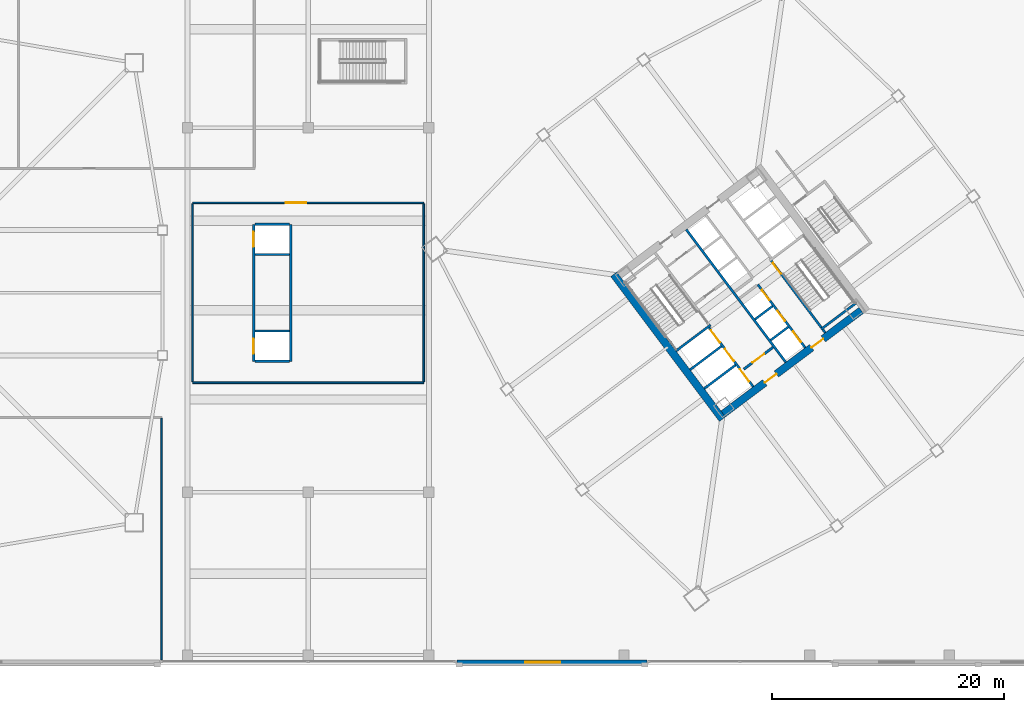
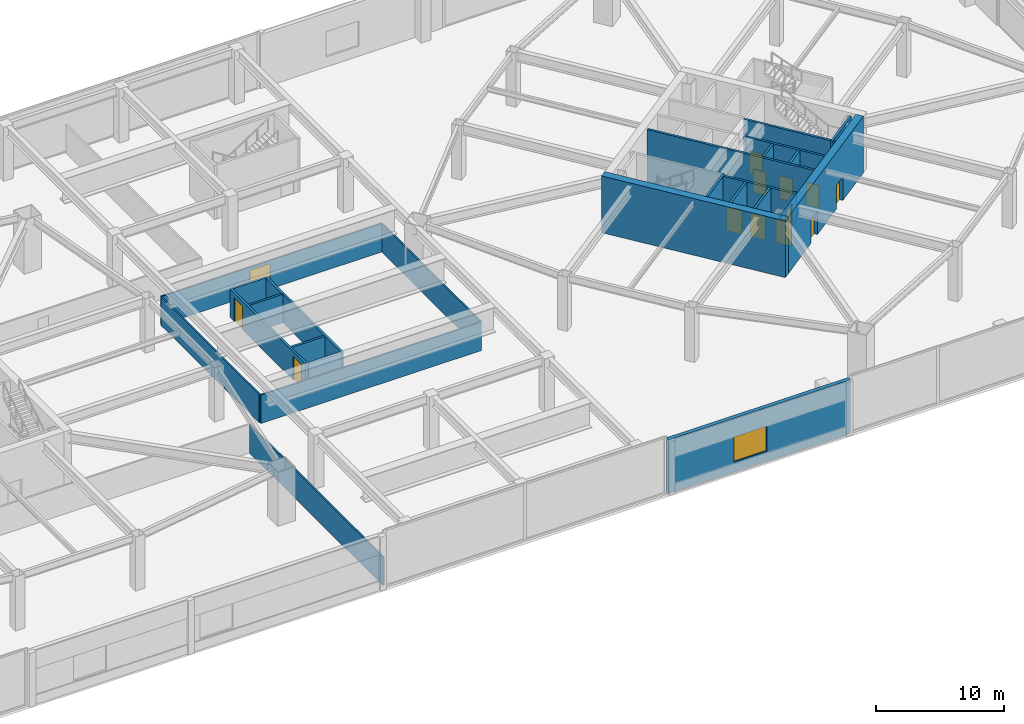
# One storey, part 36 of 48: 25 walls, 13 doors, 1 window, 14 openings.
"""IFC4 building model written with IfcOpenShell, lengths in metres."""

from ifc_helpers import new_model, si_unit, direction, frame, frame_2d, origin, place, context, subcontext, project, spatial, rectangle, extrude, material, layer, layer_set, type_object, element, fill, save


model = new_model("IFC4")

# Units and contexts
model_context = context("Model", 3, precision=1e-05, world=origin(), true_north=direction((0.0, 1.0)))
body_context = subcontext(model_context, "Body", "Model", "MODEL_VIEW")
ifc_project = project(units=[si_unit("LENGTHUNIT", "METRE"), si_unit("AREAUNIT", "SQUARE_METRE"), si_unit("VOLUMEUNIT", "CUBIC_METRE"), si_unit("PLANEANGLEUNIT", "RADIAN"), si_unit("MASSUNIT", "GRAM", prefix="KILO")], contexts=[model_context])

# Site, building, storey
site_placement = place(None, origin())
site = spatial("IfcSite", under=ifc_project, at=site_placement, CompositionType="ELEMENT")
building_placement = place(site_placement, origin())
building = spatial("IfcBuilding", under=site, at=building_placement, Name="Tashvorn Skyway Center", CompositionType="ELEMENT")
storey_placement = place(building_placement, frame((0.0, 0.0, 10.199951171875)))
storey = spatial("IfcBuildingStorey", under=building, at=storey_placement, Name="L02", CompositionType="ELEMENT", Elevation=10.199951171875)

# Wall
ifc_material_1 = material(Name="Concrete C60/75", Category="concrete")
ifc_layer_1 = layer(ifc_material_1, 0.64990234375)
ifc_layer_set_1 = layer_set([ifc_layer_1], Name="Concrete C60/75")
wall_type_1 = type_object("IfcWallType", Name="WALL-CORE-650", PredefinedType="SHEAR", material=ifc_layer_set_1)
wall_1_placement = place(storey_placement, frame((112.47607421875, 21.10693359375, 0.0), z_axis=(0.0, 0.0, 1.0), x_axis=(-0.600005007985, 0.799996243986, 0.0)))
element("IfcWall", 1, at=wall_1_placement, inside=storey, type_object=wall_type_1, Name="Tower 2 L02 West Core Shear Wall", PredefinedType="SHEAR", context=body_context, shape_type="SweptSolid", body=[
    extrude(rectangle(XDim=15.60009765625, YDim=0.64990234375, at=frame_2d((7.800048828125, 0.0))), origin(), (0.0, 0.0, 1.0), 5.400146484375),
])

# Wall, openings, doors
wall_2_placement = place(storey_placement, frame((124.428955078125, 30.47802734375, 0.0), z_axis=(0.0, 0.0, 1.0), x_axis=(-0.799998028465, -0.600002628705, 0.0)))
wall_2 = element("IfcWall", 2, at=wall_2_placement, inside=storey, type_object=wall_type_1, Name="Tower 2 L02 South Core Shear Wall", PredefinedType="SHEAR", context=body_context, shape_type="SweptSolid", body=[
    extrude(rectangle(XDim=14.85986328125, YDim=0.64990234375, at=frame_2d((7.429931640625, 0.0))), origin(), (0.0, 0.0, 1.0), 5.400146484375),
])
opening_1_placement = place(wall_2_placement, frame((9.1298828125, 0.0, 0.0)))
opening_1 = element("IfcOpeningElement", 3, at=opening_1_placement, cuts=wall_2, Name="Opening D-FFL-1250", PredefinedType="OPENING", context=body_context, shape_type="SweptSolid", body=[
    extrude(rectangle(XDim=1.25, YDim=2.25, at=frame_2d((0.625, 1.125))), frame((0.0, 0.3349609375, 0.0), z_axis=(0.0, -1.0, 0.0), x_axis=(1.0, 0.0, 0.0)), (0.0, 0.0, 1.0), 0.669921875),
])
opening_2_placement = place(wall_2_placement, frame((4.080078125, 0.0, 0.0)))
opening_2 = element("IfcOpeningElement", 4, at=opening_2_placement, cuts=wall_2, Name="Opening D-FFL-1250", PredefinedType="OPENING", context=body_context, shape_type="SweptSolid", body=[
    extrude(rectangle(XDim=1.25, YDim=2.25, at=frame_2d((0.625, 1.125))), frame((0.0, 0.3349609375, 0.0), z_axis=(0.0, -1.0, 0.0), x_axis=(1.0, 0.0, 0.0)), (0.0, 0.0, 1.0), 0.669921875),
])
ifc_material_2 = material(Name="Hollow galvanized steel fire door assembly", Category="steel")
door_type_1 = type_object("IfcDoorType", Name="DOOR-FFL-1250", OperationType="NOTDEFINED", PredefinedType="DOOR", material=ifc_material_2)
door_1_placement = place(opening_1_placement, origin())
door_1 = element("IfcDoor", 5, at=door_1_placement, inside=storey, type_object=door_type_1, Name="Tower 2 L02 Core South Firefighting Exit Door", OperationType="SINGLE_SWING_LEFT", OverallHeight=2.25, OverallWidth=1.25, PredefinedType="DOOR", context=body_context, shape_type="SweptSolid", body=[
    extrude(rectangle(XDim=1.25, YDim=2.25, at=frame_2d((0.625, 1.125))), frame((0.0, 0.02490234375, 0.0), z_axis=(0.0, -1.0, 0.0), x_axis=(1.0, 0.0, 0.0)), (0.0, 0.0, 1.0), 0.050048828125),
])
fill(opening_1, door_1)
door_2_placement = place(opening_2_placement, origin())
door_2 = element("IfcDoor", 6, at=door_2_placement, inside=storey, type_object=door_type_1, Name="Tower 2 L02 Core South Lift Lobby Door", OperationType="SINGLE_SWING_RIGHT", OverallHeight=2.25, OverallWidth=1.25, PredefinedType="DOOR", context=body_context, shape_type="SweptSolid", body=[
    extrude(rectangle(XDim=1.25, YDim=2.25, at=frame_2d((0.625, 1.125))), frame((0.0, 0.02490234375, 0.0), z_axis=(0.0, -1.0, 0.0), x_axis=(1.0, 0.0, 0.0)), (0.0, 0.0, 1.0), 0.050048828125),
])
fill(opening_2, door_2)

# Wall, opening, window
ifc_material_3 = material(Name="Precast concrete C40/50", Category="concrete")
ifc_layer_2 = layer(ifc_material_3, 0.35009765625)
ifc_layer_set_2 = layer_set([ifc_layer_2], Name="Precast concrete C40/50")
wall_type_2 = type_object("IfcWallType", Name="WALL-EXT-350", PredefinedType="SOLIDWALL", material=ifc_layer_set_2)
wall_3_placement = place(storey_placement, frame((106.0, 0.175048828125, 0.0), z_axis=(0.0, 0.0, 1.0), x_axis=(-1.0, 0.0, 0.0)))
wall_3 = element("IfcWall", 7, at=wall_3_placement, inside=storey, type_object=wall_type_2, Name="L02 South Postmodern Pier Wall M2", PredefinedType="SOLIDWALL", context=body_context, shape_type="SweptSolid", body=[
    extrude(rectangle(XDim=16.39990234375, YDim=0.35009765625, at=frame_2d((8.199951171875, 0.0))), origin(), (0.0, 0.0, 1.0), 5.14013671875),
])
opening_3_placement = place(wall_3_placement, frame((7.5, 0.0, 0.949951171875)))
opening_3 = element("IfcOpeningElement", 8, at=opening_3_placement, cuts=wall_3, Name="Opening WIN-3000", PredefinedType="OPENING", context=body_context, shape_type="SweptSolid", body=[
    extrude(rectangle(XDim=3.0, YDim=2.39990234375, at=frame_2d((1.5, 1.199951171875))), frame((0.0, 0.18505859375, 0.0), z_axis=(0.0, -1.0, 0.0), x_axis=(1.0, 0.0, 0.0)), (0.0, 0.0, 1.0), 0.3701171875),
])
ifc_material_4 = material(Name="Low-E solar-control double insulating safety glass", Category="glass")
window_type = type_object("IfcWindowType", Name="WIN-POD-3000", PartitioningType="SINGLE_PANEL", PredefinedType="WINDOW", material=ifc_material_4)
window_placement = place(opening_3_placement, origin())
window = element("IfcWindow", 9, at=window_placement, inside=storey, type_object=window_type, Name="L02 South Station Pier Window 05", OverallHeight=2.39990234375, OverallWidth=3.0, PartitioningType="SINGLE_PANEL", PredefinedType="WINDOW", context=body_context, shape_type="SweptSolid", body=[
    extrude(rectangle(XDim=3.0, YDim=2.39990234375, at=frame_2d((1.5, 1.199951171875))), frame((0.0, 0.030029296875, 0.0), z_axis=(0.0, -1.0, 0.0), x_axis=(1.0, 0.0, 0.0)), (0.0, 0.0, 1.0), 0.06005859375),
])
fill(opening_3, window)

# Wall, opening, door
ifc_material_5 = material(Name="Concrete C40/50", Category="concrete")
ifc_layer_3 = layer(ifc_material_5, 0.219970703125)
ifc_layer_set_3 = layer_set([ifc_layer_3], Name="Concrete C40/50")
wall_type_3 = type_object("IfcWallType", Name="WALL-FFL-220", PredefinedType="SOLIDWALL", material=ifc_layer_set_3)
wall_4_placement = place(storey_placement, frame((114.31591796875, 25.412109375, 0.0), z_axis=(0.0, 0.0, 1.0), x_axis=(0.800018601094, 0.59997519774, 0.0)))
wall_4 = element("IfcWall", 10, at=wall_4_placement, inside=storey, type_object=wall_type_3, Name="Tower 2 L02 Firefighting Lobby South Wall", PredefinedType="SOLIDWALL", context=body_context, shape_type="SweptSolid", body=[
    extrude(rectangle(XDim=3.14990234375, YDim=0.219970703125, at=frame_2d((1.574951171875, 0.0))), origin(), (0.0, 0.0, 1.0), 2.7099609375),
])
opening_4_placement = place(wall_4_placement, frame((0.949951171875, 0.0, 0.0)))
opening_4 = element("IfcOpeningElement", 11, at=opening_4_placement, cuts=wall_4, Name="Opening D-FFL-1250", PredefinedType="OPENING", context=body_context, shape_type="SweptSolid", body=[
    extrude(rectangle(XDim=1.25, YDim=2.25, at=frame_2d((0.625, 1.125))), frame((0.0, 0.119873046875, 0.0), z_axis=(0.0, -1.0, 0.0), x_axis=(1.0, 0.0, 0.0)), (0.0, 0.0, 1.0), 0.239990234375),
])
door_3_placement = place(opening_4_placement, origin())
door_3 = element("IfcDoor", 12, at=door_3_placement, inside=storey, type_object=door_type_1, Name="Tower 2 L02 Firefighting Lobby Egress Door", OperationType="SINGLE_SWING_LEFT", OverallHeight=2.25, OverallWidth=1.25, PredefinedType="DOOR", context=body_context, shape_type="SweptSolid", body=[
    extrude(rectangle(XDim=1.25, YDim=2.25, at=frame_2d((0.625, 1.125))), frame((0.0, 0.02490234375, 0.0), z_axis=(0.0, -1.0, 0.0), x_axis=(1.0, 0.0, 0.0)), (0.0, 0.0, 1.0), 0.050048828125),
])
fill(opening_4, door_3)

# Wall
ifc_material_6 = material(Name="Gypsum board on cold-formed steel stud framing", Category="steel")
ifc_layer_4 = layer(ifc_material_6, 0.135009765625)
ifc_layer_set_4 = layer_set([ifc_layer_4], Name="Gypsum board on cold-formed steel stud framing")
wall_type_4 = type_object("IfcWallType", Name="WALL-PART-135", PredefinedType="PARTITIONING", material=ifc_layer_set_4)
wall_5_placement = place(storey_placement, frame((64.14990234375, 0.35009765625, 0.0), z_axis=(0.0, 0.0, 1.0), x_axis=(0.0, 1.0, 0.0)))
element("IfcWall", 13, at=wall_5_placement, inside=storey, type_object=wall_type_4, Name="L02 South Suite East Wall", PredefinedType="PARTITIONING", context=body_context, shape_type="SweptSolid", body=[
    extrude(rectangle(XDim=20.849853515625, YDim=0.135009765625, at=frame_2d((10.4248046875, 0.0))), origin(), (0.0, 0.0, 1.0), 2.7099609375),
])

# Wall, opening, door
ifc_layer_5 = layer(ifc_material_6, 0.135009765625)
ifc_layer_set_5 = layer_set([ifc_layer_5], Name="Gypsum board on cold-formed steel stud framing")
wall_type_5 = type_object("IfcWallType", Name="WALL-RATED-135", PredefinedType="PARTITIONING", material=ifc_layer_set_5)
wall_6_placement = place(storey_placement, frame((66.85009765625, 39.75, 0.0), z_axis=(0.0, 0.0, 1.0), x_axis=(1.0, 0.0, 0.0)))
wall_6 = element("IfcWall", 14, at=wall_6_placement, inside=storey, type_object=wall_type_5, Name="L02 Staff Restaurant North Wall", PredefinedType="PARTITIONING", context=body_context, shape_type="SweptSolid", body=[
    extrude(rectangle(XDim=19.89990234375, YDim=0.135009765625, at=frame_2d((9.949951171875, 0.0))), origin(), (0.0, 0.0, 1.0), 2.7099609375),
])
opening_5_placement = place(wall_6_placement, frame((8.0, 0.0, 0.0)))
opening_5 = element("IfcOpeningElement", 15, at=opening_5_placement, cuts=wall_6, Name="Opening D-DBL-1800", PredefinedType="OPENING", context=body_context, shape_type="SweptSolid", body=[
    extrude(rectangle(XDim=1.800048828125, YDim=2.39990234375, at=frame_2d((0.89990234375, 1.199951171875))), frame((0.0, 0.077392578125, 0.0), z_axis=(0.0, -1.0, 0.0), x_axis=(1.0, 0.0, 0.0)), (0.0, 0.0, 1.0), 0.155029296875),
])
door_type_2 = type_object("IfcDoorType", Name="DOOR-DBL-1800", OperationType="DOUBLE_DOOR_SINGLE_SWING", PredefinedType="DOOR", material=ifc_material_2)
door_4_placement = place(opening_5_placement, origin())
door_4 = element("IfcDoor", 16, at=door_4_placement, inside=storey, type_object=door_type_2, Name="L02 Staff Restaurant Entrance", OperationType="DOUBLE_DOOR_SINGLE_SWING", OverallHeight=2.39990234375, OverallWidth=1.800048828125, PredefinedType="DOOR", context=body_context, shape_type="SweptSolid", body=[
    extrude(rectangle(XDim=1.800048828125, YDim=2.39990234375, at=frame_2d((0.89990234375, 1.199951171875))), frame((0.0, 0.02490234375, 0.0), z_axis=(0.0, -1.0, 0.0), x_axis=(1.0, 0.0, 0.0)), (0.0, 0.0, 1.0), 0.050048828125),
])
fill(opening_5, door_4)

# Walls
wall_7_placement = place(storey_placement, frame((66.85009765625, 24.25, 0.0), z_axis=(0.0, 0.0, 1.0), x_axis=(1.0, 0.0, 0.0)))
element("IfcWall", 17, at=wall_7_placement, inside=storey, type_object=wall_type_5, Name="L02 Staff Restaurant South Wall", PredefinedType="PARTITIONING", context=body_context, shape_type="SweptSolid", body=[
    extrude(rectangle(XDim=19.89990234375, YDim=0.135009765625, at=frame_2d((9.949951171875, 0.0))), origin(), (0.0, 0.0, 1.0), 2.7099609375),
])
for number, where, z_axis, x_axis, name in (
    (18, (66.85009765625, 24.35009765625, 0.0), (0.0, 0.0, 1.0), (0.0, 1.0, 0.0), "L02 Staff Restaurant West Wall"),
    (19, (86.75, 24.35009765625, 0.0), (0.0, 0.0, 1.0), (0.0, 1.0, 0.0), "L02 Staff Restaurant East Wall"),
):
    element("IfcWall", number, at=place(storey_placement, frame(where, z_axis=z_axis, x_axis=x_axis)), inside=storey, type_object=wall_type_5, Name=name, PredefinedType="PARTITIONING", context=body_context, shape_type="SweptSolid", body=[
        extrude(rectangle(XDim=15.2998046875, YDim=0.135009765625, at=frame_2d((7.64990234375, 0.0))), origin(), (0.0, 0.0, 1.0), 2.7099609375),
    ])
ifc_layer_6 = layer(ifc_material_5, 0.199951171875)
ifc_layer_set_6 = layer_set([ifc_layer_6], Name="Concrete C40/50")
wall_type_6 = type_object("IfcWallType", Name="WALL-SHAFT-200", PredefinedType="SOLIDWALL", material=ifc_layer_set_6)
for number, where, z_axis, x_axis, name in (
    (20, (110.906005859375, 23.741943359375, 0.0), (0.0, 0.0, 1.0), (0.8, 0.6, 0.0), "Tower 2 L02 FSAE Shaft Divider"),
    (21, (109.68798828125, 25.365966796875, 0.0), (0.0, 0.0, 1.0), (0.8, 0.6, 0.0), "Tower 2 L02 FSAE Shaft Divider"),
):
    element("IfcWall", number, at=place(storey_placement, frame(where, z_axis=z_axis, x_axis=x_axis)), inside=storey, type_object=wall_type_6, Name=name, PredefinedType="SOLIDWALL", context=body_context, shape_type="SweptSolid", body=[
        extrude(rectangle(XDim=3.380126953125, YDim=0.199951171875, at=frame_2d((1.68994140625, 0.0))), origin(), (0.0, 0.0, 1.0), 5.14013671875),
    ])

# Wall, openings, doors
wall_8_placement = place(storey_placement, frame((119.610107421875, 27.27001953125, 0.0), z_axis=(0.0, 0.0, 1.0), x_axis=(-0.600011488909, 0.79999138319, 0.0)))
wall_8 = element("IfcWall", 22, at=wall_8_placement, inside=storey, type_object=wall_type_6, Name="Tower 2 L02 Low-Rise Core Wall", PredefinedType="SOLIDWALL", context=body_context, shape_type="SweptSolid", body=[
    extrude(rectangle(XDim=6.800048828125, YDim=0.199951171875, at=frame_2d((3.39990234375, 0.0))), origin(), (0.0, 0.0, 1.0), 5.14013671875),
])
opening_6_placement = place(wall_8_placement, frame((0.625, 0.0, 0.0)))
opening_6 = element("IfcOpeningElement", 23, at=opening_6_placement, cuts=wall_8, Name="Opening LD-LR-T2-1-L02", PredefinedType="OPENING", context=body_context, shape_type="SweptSolid", body=[
    extrude(rectangle(XDim=1.10009765625, YDim=2.199951171875, at=frame_2d((0.550048828125, 1.10009765625))), frame((0.0, 0.10986328125, 0.0), z_axis=(0.0, -1.0, 0.0), x_axis=(1.0, 0.0, 0.0)), (0.0, 0.0, 1.0), 0.219970703125),
])
opening_7_placement = place(wall_8_placement, frame((2.875, 0.0, 0.0)))
opening_7 = element("IfcOpeningElement", 24, at=opening_7_placement, cuts=wall_8, Name="Opening LD-LR-T2-2-L02", PredefinedType="OPENING", context=body_context, shape_type="SweptSolid", body=[
    extrude(rectangle(XDim=1.10009765625, YDim=2.199951171875, at=frame_2d((0.550048828125, 1.10009765625))), frame((0.0, 0.10986328125, 0.0), z_axis=(0.0, -1.0, 0.0), x_axis=(1.0, 0.0, 0.0)), (0.0, 0.0, 1.0), 0.219970703125),
])
opening_8_placement = place(wall_8_placement, frame((5.125, 0.0, 0.0)))
opening_8 = element("IfcOpeningElement", 25, at=opening_8_placement, cuts=wall_8, Name="Opening LD-LR-T2-3-L02", PredefinedType="OPENING", context=body_context, shape_type="SweptSolid", body=[
    extrude(rectangle(XDim=1.10009765625, YDim=2.199951171875, at=frame_2d((0.550048828125, 1.10009765625))), frame((0.0, 0.10986328125, 0.0), z_axis=(0.0, -1.0, 0.0), x_axis=(1.0, 0.0, 0.0)), (0.0, 0.0, 1.0), 0.219970703125),
])
ifc_material_7 = material(Name="Stainless steel landing door", Category="steel")
door_type_3 = type_object("IfcDoorType", Name="DOOR-LIFT-1100", OperationType="SLIDING_TO_LEFT", PredefinedType="DOOR", material=ifc_material_7)
door_5_placement = place(opening_6_placement, origin())
door_5 = element("IfcDoor", 26, at=door_5_placement, inside=storey, type_object=door_type_3, Name="Lift LR-T2-1 L02 Landing Door", OperationType="SLIDING_TO_LEFT", OverallHeight=2.199951171875, OverallWidth=1.10009765625, PredefinedType="DOOR", context=body_context, shape_type="SweptSolid", body=[
    extrude(rectangle(XDim=1.10009765625, YDim=2.199951171875, at=frame_2d((0.550048828125, 1.10009765625))), frame((0.0, 0.02490234375, 0.0), z_axis=(0.0, -1.0, 0.0), x_axis=(1.0, 0.0, 0.0)), (0.0, 0.0, 1.0), 0.050048828125),
])
fill(opening_6, door_5)
door_6_placement = place(opening_7_placement, origin())
door_6 = element("IfcDoor", 27, at=door_6_placement, inside=storey, type_object=door_type_3, Name="Lift LR-T2-2 L02 Landing Door", OperationType="SLIDING_TO_LEFT", OverallHeight=2.199951171875, OverallWidth=1.10009765625, PredefinedType="DOOR", context=body_context, shape_type="SweptSolid", body=[
    extrude(rectangle(XDim=1.10009765625, YDim=2.199951171875, at=frame_2d((0.550048828125, 1.10009765625))), frame((0.0, 0.02490234375, 0.0), z_axis=(0.0, -1.0, 0.0), x_axis=(1.0, 0.0, 0.0)), (0.0, 0.0, 1.0), 0.050048828125),
])
fill(opening_7, door_6)
door_7_placement = place(opening_8_placement, origin())
door_7 = element("IfcDoor", 28, at=door_7_placement, inside=storey, type_object=door_type_3, Name="Lift LR-T2-3 L02 Landing Door", OperationType="SLIDING_TO_LEFT", OverallHeight=2.199951171875, OverallWidth=1.10009765625, PredefinedType="DOOR", context=body_context, shape_type="SweptSolid", body=[
    extrude(rectangle(XDim=1.10009765625, YDim=2.199951171875, at=frame_2d((0.550048828125, 1.10009765625))), frame((0.0, 0.02490234375, 0.0), z_axis=(0.0, -1.0, 0.0), x_axis=(1.0, 0.0, 0.0)), (0.0, 0.0, 1.0), 0.050048828125),
])
fill(opening_8, door_7)

# Walls
wall_9_placement = place(storey_placement, frame((116.64599609375, 27.922119140625, 0.0), z_axis=(0.0, 0.0, 1.0), x_axis=(0.8, 0.6, 0.0)))
element("IfcWall", 29, at=wall_9_placement, inside=storey, type_object=wall_type_6, Name="Tower 2 L02 Low-Rise Shaft Divider", PredefinedType="SOLIDWALL", context=body_context, shape_type="SweptSolid", body=[
    extrude(rectangle(XDim=1.8798828125, YDim=0.199951171875, at=frame_2d((0.93994140625, 0.0))), origin(), (0.0, 0.0, 1.0), 5.14013671875),
])
wall_10_placement = place(storey_placement, frame((115.2958984375, 29.721923828125, 0.0), z_axis=(0.0, 0.0, 1.0), x_axis=(0.799984418148, 0.600020775241, 0.0)))
element("IfcWall", 30, at=wall_10_placement, inside=storey, type_object=wall_type_6, Name="Tower 2 L02 Low-Rise Shaft Divider", PredefinedType="SOLIDWALL", context=body_context, shape_type="SweptSolid", body=[
    extrude(rectangle(XDim=1.880126953125, YDim=0.199951171875, at=frame_2d((0.93994140625, 0.0))), origin(), (0.0, 0.0, 1.0), 5.14013671875),
])

# Wall, openings, doors
wall_11_placement = place(storey_placement, frame((72.10009765625, 26.10009765625, 0.0), z_axis=(0.0, 0.0, 1.0), x_axis=(0.0, 1.0, 0.0)))
wall_11 = element("IfcWall", 31, at=wall_11_placement, inside=storey, type_object=wall_type_6, Name="L02 Station Lift Front Wall", PredefinedType="SOLIDWALL", context=body_context, shape_type="SweptSolid", body=[
    extrude(rectangle(XDim=11.7998046875, YDim=0.199951171875, at=frame_2d((5.89990234375, 0.0))), origin(), (0.0, 0.0, 1.0), 2.7099609375),
])
opening_9_placement = place(wall_11_placement, frame((0.64990234375, 0.0, 0.0)))
opening_9 = element("IfcOpeningElement", 32, at=opening_9_placement, cuts=wall_11, Name="Opening LD-STN-L1-L02", PredefinedType="OPENING", context=body_context, shape_type="SweptSolid", body=[
    extrude(rectangle(XDim=1.300048828125, YDim=2.25, at=frame_2d((0.64990234375, 1.125))), frame((0.0, 0.10986328125, 0.0), z_axis=(0.0, -1.0, 0.0), x_axis=(1.0, 0.0, 0.0)), (0.0, 0.0, 1.0), 0.219970703125),
])
opening_10_placement = place(wall_11_placement, frame((9.85009765625, 0.0, 0.0)))
opening_10 = element("IfcOpeningElement", 33, at=opening_10_placement, cuts=wall_11, Name="Opening LD-STN-L2-L02", PredefinedType="OPENING", context=body_context, shape_type="SweptSolid", body=[
    extrude(rectangle(XDim=1.300048828125, YDim=2.25, at=frame_2d((0.64990234375, 1.125))), frame((0.0, 0.10986328125, 0.0), z_axis=(0.0, -1.0, 0.0), x_axis=(1.0, 0.0, 0.0)), (0.0, 0.0, 1.0), 0.219970703125),
])
ifc_material_8 = material(Name="Stainless steel heavy-duty landing door", Category="steel")
door_type_4 = type_object("IfcDoorType", Name="DOOR-LIFT-1300", OperationType="SLIDING_TO_LEFT", PredefinedType="DOOR", material=ifc_material_8)
door_8_placement = place(opening_9_placement, origin())
door_8 = element("IfcDoor", 34, at=door_8_placement, inside=storey, type_object=door_type_4, Name="Station Lift STN-L1 L02 Landing Door", OperationType="SLIDING_TO_LEFT", OverallHeight=2.25, OverallWidth=1.300048828125, PredefinedType="DOOR", context=body_context, shape_type="SweptSolid", body=[
    extrude(rectangle(XDim=1.300048828125, YDim=2.25, at=frame_2d((0.64990234375, 1.125))), frame((0.0, 0.02490234375, 0.0), z_axis=(0.0, -1.0, 0.0), x_axis=(1.0, 0.0, 0.0)), (0.0, 0.0, 1.0), 0.050048828125),
])
fill(opening_9, door_8)
door_9_placement = place(opening_10_placement, origin())
door_9 = element("IfcDoor", 35, at=door_9_placement, inside=storey, type_object=door_type_4, Name="Station Lift STN-L2 L02 Landing Door", OperationType="SLIDING_TO_LEFT", OverallHeight=2.25, OverallWidth=1.300048828125, PredefinedType="DOOR", context=body_context, shape_type="SweptSolid", body=[
    extrude(rectangle(XDim=1.300048828125, YDim=2.25, at=frame_2d((0.64990234375, 1.125))), frame((0.0, 0.02490234375, 0.0), z_axis=(0.0, -1.0, 0.0), x_axis=(1.0, 0.0, 0.0)), (0.0, 0.0, 1.0), 0.050048828125),
])
fill(opening_10, door_9)

# Walls
wall_12_placement = place(storey_placement, frame((75.300048828125, 26.10009765625, 0.0), z_axis=(0.0, 0.0, 1.0), x_axis=(0.0, 1.0, 0.0)))
element("IfcWall", 36, at=wall_12_placement, inside=storey, type_object=wall_type_6, Name="L02 Station Lift Rear Wall", PredefinedType="SOLIDWALL", context=body_context, shape_type="SweptSolid", body=[
    extrude(rectangle(XDim=11.7998046875, YDim=0.199951171875, at=frame_2d((5.89990234375, 0.0))), origin(), (0.0, 0.0, 1.0), 2.7099609375),
])
for number, where, z_axis, x_axis, name in (
    (37, (72.199951171875, 26.10009765625, 0.0), (0.0, 0.0, 1.0), (1.0, 0.0, 0.0), "L02 Station Lift Divider"),
    (38, (72.199951171875, 28.699951171875, 0.0), (0.0, 0.0, 1.0), (1.0, 0.0, 0.0), "L02 Station Lift Divider"),
    (39, (72.199951171875, 35.300048828125, 0.0), (0.0, 0.0, 1.0), (1.0, 0.0, 0.0), "L02 Station Lift Divider"),
    (40, (72.199951171875, 37.89990234375, 0.0), (0.0, 0.0, 1.0), (1.0, 0.0, 0.0), "L02 Station Lift Divider"),
):
    element("IfcWall", number, at=place(storey_placement, frame(where, z_axis=z_axis, x_axis=x_axis)), inside=storey, type_object=wall_type_6, Name=name, PredefinedType="SOLIDWALL", context=body_context, shape_type="SweptSolid", body=[
        extrude(rectangle(XDim=3.0, YDim=0.199951171875, at=frame_2d((1.5, 0.0))), origin(), (0.0, 0.0, 1.0), 2.7099609375),
    ])
ifc_layer_7 = layer(ifc_material_5, 0.199951171875)
ifc_layer_set_7 = layer_set([ifc_layer_7], Name="Concrete C40/50")
wall_type_7 = type_object("IfcWallType", Name="WALL-STSHF-200", PredefinedType="SHEAR", material=ifc_layer_set_7)
wall_13_placement = place(storey_placement, frame((108.47607421875, 26.98193359375, 0.0), z_axis=(0.0, 0.0, 1.0), x_axis=(0.799984290658, 0.600020945218, 0.0)))
element("IfcWall", 41, at=wall_13_placement, inside=storey, type_object=wall_type_7, Name="Tower 2 L02 Stair 1 South Wall", PredefinedType="SHEAR", context=body_context, shape_type="SweptSolid", body=[
    extrude(rectangle(XDim=3.72998046875, YDim=0.199951171875, at=frame_2d((1.864990234375, 0.0))), origin(), (0.0, 0.0, 1.0), 5.14013671875),
])

# Wall, opening, door
wall_14_placement = place(storey_placement, frame((116.56005859375, 34.919921875, 0.0), z_axis=(0.0, 0.0, 1.0), x_axis=(0.600009827119, -0.799992629566, 0.0)))
wall_14 = element("IfcWall", 42, at=wall_14_placement, inside=storey, type_object=wall_type_7, Name="Tower 2 L02 Stair 2 Enclosure Wall", PredefinedType="SHEAR", context=body_context, shape_type="SweptSolid", body=[
    extrude(rectangle(XDim=7.949951171875, YDim=0.199951171875, at=frame_2d((3.97509765625, 0.0))), origin(), (0.0, 0.0, 1.0), 5.14013671875),
])
opening_11_placement = place(wall_14_placement, frame((0.449951171875, 0.0, 0.0)))
opening_11 = element("IfcOpeningElement", 43, at=opening_11_placement, cuts=wall_14, Name="Opening D-ST-1150", PredefinedType="OPENING", context=body_context, shape_type="SweptSolid", body=[
    extrude(rectangle(XDim=1.14990234375, YDim=2.199951171875, at=frame_2d((0.574951171875, 1.10009765625))), frame((0.0, 0.10986328125, 0.0), z_axis=(0.0, -1.0, 0.0), x_axis=(1.0, 0.0, 0.0)), (0.0, 0.0, 1.0), 0.219970703125),
])
door_type_5 = type_object("IfcDoorType", Name="DOOR-STAIR-1150", OperationType="NOTDEFINED", PredefinedType="DOOR", material=ifc_material_2)
door_10_placement = place(opening_11_placement, origin())
door_10 = element("IfcDoor", 44, at=door_10_placement, inside=storey, type_object=door_type_5, Name="Tower 2 L02 Exit Stair 2 Door", OperationType="SINGLE_SWING_RIGHT", OverallHeight=2.199951171875, OverallWidth=1.14990234375, PredefinedType="DOOR", context=body_context, shape_type="SweptSolid", body=[
    extrude(rectangle(XDim=1.14990234375, YDim=2.199951171875, at=frame_2d((0.574951171875, 1.10009765625))), frame((0.0, 0.02490234375, 0.0), z_axis=(0.0, -1.0, 0.0), x_axis=(1.0, 0.0, 0.0)), (0.0, 0.0, 1.0), 0.050048828125),
])
fill(opening_11, door_10)

# Walls
wall_15_placement = place(storey_placement, frame((120.97998046875, 28.860107421875, 0.0), z_axis=(0.0, 0.0, 1.0), x_axis=(0.800039270442, 0.59994763584, 0.0)))
element("IfcWall", 45, at=wall_15_placement, inside=storey, type_object=wall_type_7, Name="Tower 2 L02 Stair 2 South Wall", PredefinedType="SHEAR", context=body_context, shape_type="SweptSolid", body=[
    extrude(rectangle(XDim=3.72998046875, YDim=0.199951171875, at=frame_2d((1.864990234375, 0.0))), origin(), (0.0, 0.0, 1.0), 5.14013671875),
])
wall_16_placement = place(storey_placement, frame((117.93798828125, 26.01611328125, 0.0), z_axis=(0.0, 0.0, 1.0), x_axis=(-0.600005463273, 0.799995902516, 0.0)))
element("IfcWall", 46, at=wall_16_placement, inside=storey, type_object=wall_type_7, Name="Tower 2 L02 Firefighting Lobby East Smoke Barrier", PredefinedType="SHEAR", context=body_context, shape_type="SweptSolid", body=[
    extrude(rectangle(XDim=14.300048828125, YDim=0.199951171875, at=frame_2d((7.14990234375, 0.0))), origin(), (0.0, 0.0, 1.0), 5.14013671875),
])

# Wall, openings, doors
wall_17_placement = place(storey_placement, frame((115.1298828125, 23.909912109375, 0.0), z_axis=(0.0, 0.0, 1.0), x_axis=(-0.599975393228, 0.800018454488, 0.0)))
wall_17 = element("IfcWall", 47, at=wall_17_placement, inside=storey, type_object=wall_type_7, Name="Tower 2 L02 FSAE and Goods Shaft Front Wall", PredefinedType="SHEAR", context=body_context, shape_type="SweptSolid", body=[
    extrude(rectangle(XDim=6.349853515625, YDim=0.199951171875, at=frame_2d((3.1748046875, 0.0))), origin(), (0.0, 0.0, 1.0), 5.14013671875),
])
opening_12_placement = place(wall_17_placement, frame((4.77490234375, 0.0, 0.0)))
opening_12 = element("IfcOpeningElement", 48, at=opening_12_placement, cuts=wall_17, Name="Opening LD-FF-T2-1-L02", PredefinedType="OPENING", context=body_context, shape_type="SweptSolid", body=[
    extrude(rectangle(XDim=1.300048828125, YDim=2.25, at=frame_2d((0.64990234375, 1.125))), frame((0.0, 0.10986328125, 0.0), z_axis=(0.0, -1.0, 0.0), x_axis=(1.0, 0.0, 0.0)), (0.0, 0.0, 1.0), 0.219970703125),
])
opening_13_placement = place(wall_17_placement, frame((2.77490234375, 0.0, 0.0)))
opening_13 = element("IfcOpeningElement", 49, at=opening_13_placement, cuts=wall_17, Name="Opening LD-FF-T2-2-L02", PredefinedType="OPENING", context=body_context, shape_type="SweptSolid", body=[
    extrude(rectangle(XDim=1.300048828125, YDim=2.25, at=frame_2d((0.64990234375, 1.125))), frame((0.0, 0.10986328125, 0.0), z_axis=(0.0, -1.0, 0.0), x_axis=(1.0, 0.0, 0.0)), (0.0, 0.0, 1.0), 0.219970703125),
])
opening_14_placement = place(wall_17_placement, frame((0.574951171875, 0.0, 0.0)))
opening_14 = element("IfcOpeningElement", 50, at=opening_14_placement, cuts=wall_17, Name="Opening LD-GD-T2-1-L02", PredefinedType="OPENING", context=body_context, shape_type="SweptSolid", body=[
    extrude(rectangle(XDim=1.300048828125, YDim=2.25, at=frame_2d((0.64990234375, 1.125))), frame((0.0, 0.10986328125, 0.0), z_axis=(0.0, -1.0, 0.0), x_axis=(1.0, 0.0, 0.0)), (0.0, 0.0, 1.0), 0.219970703125),
])
door_11_placement = place(opening_12_placement, origin())
door_11 = element("IfcDoor", 51, at=door_11_placement, inside=storey, type_object=door_type_4, Name="Lift FF-T2-1 L02 Landing Door", OperationType="SLIDING_TO_LEFT", OverallHeight=2.25, OverallWidth=1.300048828125, PredefinedType="DOOR", context=body_context, shape_type="SweptSolid", body=[
    extrude(rectangle(XDim=1.300048828125, YDim=2.25, at=frame_2d((0.64990234375, 1.125))), frame((0.0, 0.02490234375, 0.0), z_axis=(0.0, -1.0, 0.0), x_axis=(1.0, 0.0, 0.0)), (0.0, 0.0, 1.0), 0.050048828125),
])
fill(opening_12, door_11)
door_12_placement = place(opening_13_placement, origin())
door_12 = element("IfcDoor", 52, at=door_12_placement, inside=storey, type_object=door_type_4, Name="Lift FF-T2-2 L02 Landing Door", OperationType="SLIDING_TO_LEFT", OverallHeight=2.25, OverallWidth=1.300048828125, PredefinedType="DOOR", context=body_context, shape_type="SweptSolid", body=[
    extrude(rectangle(XDim=1.300048828125, YDim=2.25, at=frame_2d((0.64990234375, 1.125))), frame((0.0, 0.02490234375, 0.0), z_axis=(0.0, -1.0, 0.0), x_axis=(1.0, 0.0, 0.0)), (0.0, 0.0, 1.0), 0.050048828125),
])
fill(opening_13, door_12)
door_13_placement = place(opening_14_placement, origin())
door_13 = element("IfcDoor", 53, at=door_13_placement, inside=storey, type_object=door_type_4, Name="Lift GD-T2-1 L02 Landing Door", OperationType="SLIDING_TO_LEFT", OverallHeight=2.25, OverallWidth=1.300048828125, PredefinedType="DOOR", context=body_context, shape_type="SweptSolid", body=[
    extrude(rectangle(XDim=1.300048828125, YDim=2.25, at=frame_2d((0.64990234375, 1.125))), frame((0.0, 0.02490234375, 0.0), z_axis=(0.0, -1.0, 0.0), x_axis=(1.0, 0.0, 0.0)), (0.0, 0.0, 1.0), 0.050048828125),
])
fill(opening_14, door_13)

save(model, "model.ifc")
